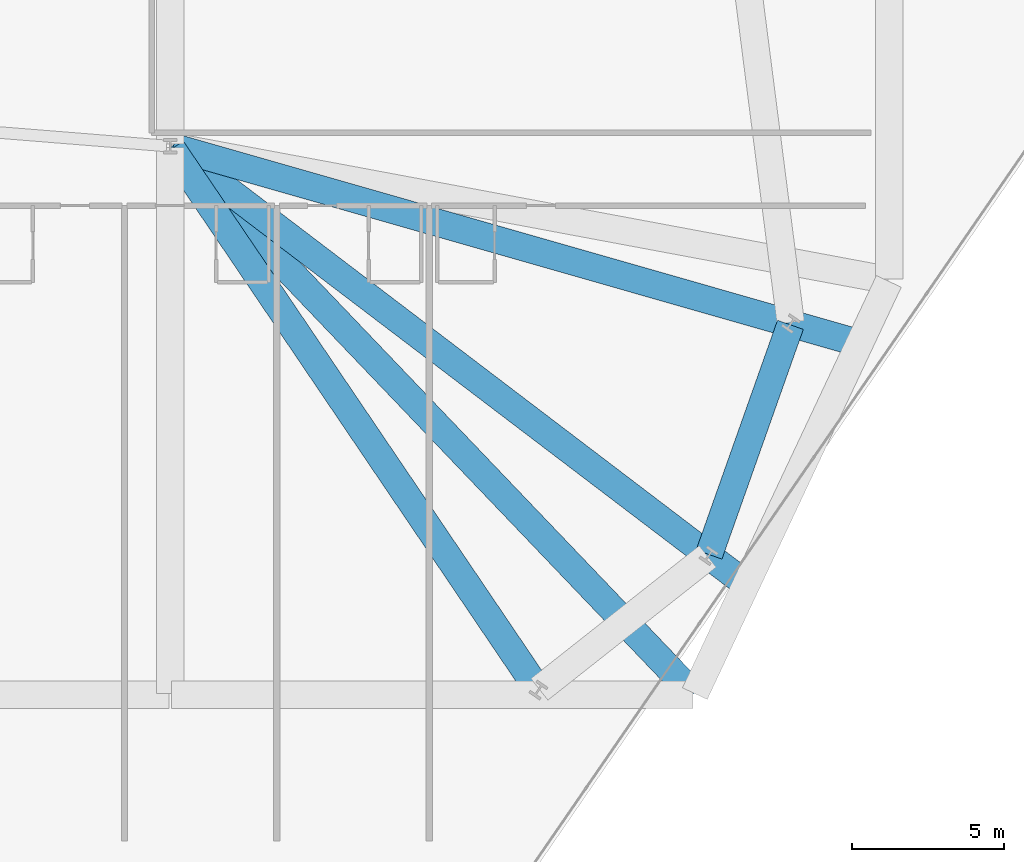
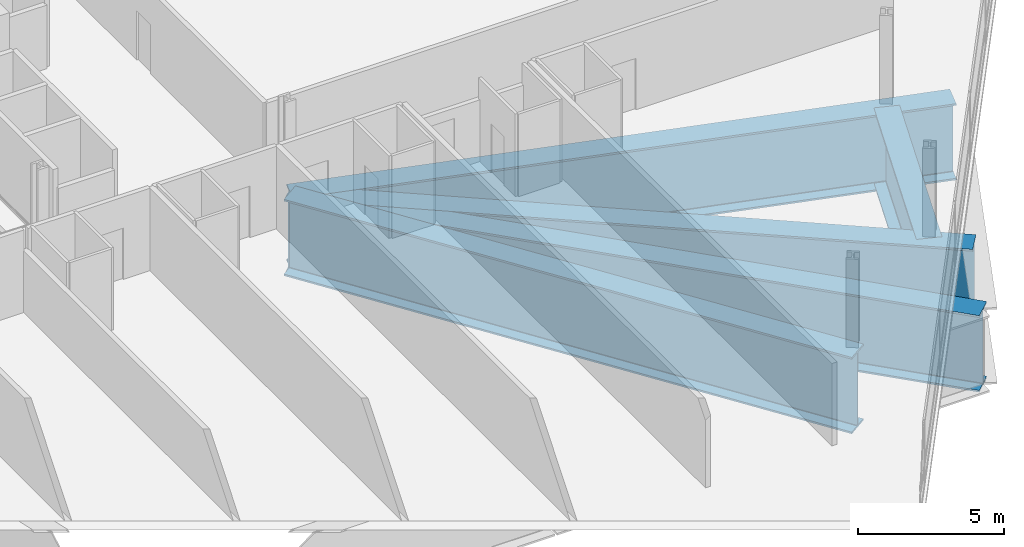
# One storey, part 9 of 26: 5 beams.
"""IFC4 building model written with IfcOpenShell, lengths in metres."""

from ifc_helpers import new_model, si_unit, direction, frame, origin, origin_2d, place, context, subcontext, project, spatial, i_section, extrude, material, material_profile, profile_set, type_object, element, save


model = new_model("IFC4")

# Units and contexts
model_context = context("Model", 3, precision=1e-05, world=origin(), true_north=direction((0.0, 1.0)))
body_context = subcontext(model_context, "Body", "Model", "MODEL_VIEW")
ifc_project = project(units=[si_unit("LENGTHUNIT", "METRE"), si_unit("AREAUNIT", "SQUARE_METRE"), si_unit("VOLUMEUNIT", "CUBIC_METRE"), si_unit("PLANEANGLEUNIT", "RADIAN"), si_unit("MASSUNIT", "GRAM", prefix="KILO")], contexts=[model_context])

# Site, building, storey
site_placement = place(None, origin())
site = spatial("IfcSite", under=ifc_project, at=site_placement, CompositionType="ELEMENT")
building_placement = place(site_placement, origin())
building = spatial("IfcBuilding", under=site, at=building_placement, Name="Varnelok Gate Tower", CompositionType="ELEMENT")
storey_placement = place(building_placement, frame((0.0, 0.0, 27.0)))
storey = spatial("IfcBuildingStorey", under=building, at=storey_placement, Name="L05", CompositionType="ELEMENT", Elevation=27.0)

# Beams
ifc_material = material(Name="Structural Steel ASTM A572 Grade 50", Category="steel")
ifc_material_profile = material_profile(ifc_material, i_section(OverallWidth=0.89990234375, OverallDepth=3.199951171875, WebThickness=0.0400390625, FlangeThickness=0.074951171875, FilletRadius=0.030029296875, at=origin_2d()), Name="PG3200X900")
ifc_profile_set = profile_set([ifc_material_profile], Name="Structural Steel ASTM A572 Grade 50")
beam_type = type_object("IfcBeamType", Name="BM-TR-PG3200", PredefinedType="BEAM", material=ifc_profile_set)
beam_1_placement = place(storey_placement, frame((54.027587890625, 18.77099609375, -1.85009765625), z_axis=(0.690859142843, -0.7229893808, 0.0), x_axis=(0.7229893808, 0.690859142843, 0.0)))
element("IfcBeam", 1, at=beam_1_placement, inside=storey, type_object=beam_type, Name="L05 Radial Transfer Main Girder 4", PredefinedType="BEAM", context=body_context, shape_type="SweptSolid", body=[
    extrude(i_section(OverallWidth=0.89990234375, OverallDepth=3.199951171875, WebThickness=0.0400390625, FlangeThickness=0.074951171875, FilletRadius=0.030029296875, at=origin_2d()), origin(), (0.0, 0.0, 1.0), 24.816650390625),
])
beam_2_placement = place(storey_placement, frame((54.05615234375, 18.71728515625, -1.85009765625), z_axis=(0.560669255656, -0.828039845516, 0.0), x_axis=(0.828039845516, 0.560669255656, 0.0)))
element("IfcBeam", 2, at=beam_2_placement, inside=storey, type_object=beam_type, Name="L05 Column Transfer Carrier Girder 6", PredefinedType="BEAM", context=body_context, shape_type="SweptSolid", body=[
    extrude(i_section(OverallWidth=0.89990234375, OverallDepth=3.199951171875, WebThickness=0.0400390625, FlangeThickness=0.074951171875, FilletRadius=0.030029296875, at=origin_2d()), origin(), (0.0, 0.0, 1.0), 21.63818359375),
])
beam_3_placement = place(storey_placement, frame((54.07958984375, 18.739501953125, -1.85009765625), z_axis=(0.795982336695, -0.605319849063, 0.0), x_axis=(0.605319849063, 0.795982336695, 0.0)))
element("IfcBeam", 3, at=beam_3_placement, inside=storey, type_object=beam_type, Name="L05 Column Transfer Carrier Girder 7", PredefinedType="BEAM", context=body_context, shape_type="SweptSolid", body=[
    extrude(i_section(OverallWidth=0.89990234375, OverallDepth=3.199951171875, WebThickness=0.0400390625, FlangeThickness=0.074951171875, FilletRadius=0.030029296875, at=origin_2d()), origin(), (0.0, 0.0, 1.0), 23.650634765625),
])
beam_4_placement = place(storey_placement, frame((54.09619140625, 18.7724609375, -1.85009765625), z_axis=(0.961464164447, -0.274930282953, 0.0), x_axis=(0.274930282953, 0.961464164447, 0.0)))
element("IfcBeam", 4, at=beam_4_placement, inside=storey, type_object=beam_type, Name="L05 Column Transfer Carrier Girder 8", PredefinedType="BEAM", context=body_context, shape_type="SweptSolid", body=[
    extrude(i_section(OverallWidth=0.89990234375, OverallDepth=3.199951171875, WebThickness=0.0400390625, FlangeThickness=0.074951171875, FilletRadius=0.030029296875, at=origin_2d()), origin(), (0.0, 0.0, 1.0), 23.432861328125),
])
beam_5_placement = place(storey_placement, frame((71.683349609375, 5.400146484375, -1.85009765625), z_axis=(0.333885004732, 0.942613814675, 0.0), x_axis=(-0.942613814675, 0.333885004732, 0.0)))
element("IfcBeam", 5, at=beam_5_placement, inside=storey, type_object=beam_type, Name="L05 Upper Perimeter Transfer Ring 7", PredefinedType="BEAM", context=body_context, shape_type="SweptSolid", body=[
    extrude(i_section(OverallWidth=0.89990234375, OverallDepth=3.199951171875, WebThickness=0.0400390625, FlangeThickness=0.074951171875, FilletRadius=0.030029296875, at=origin_2d()), origin(), (0.0, 0.0, 1.0), 7.997314453125),
])

save(model, "model.ifc")
